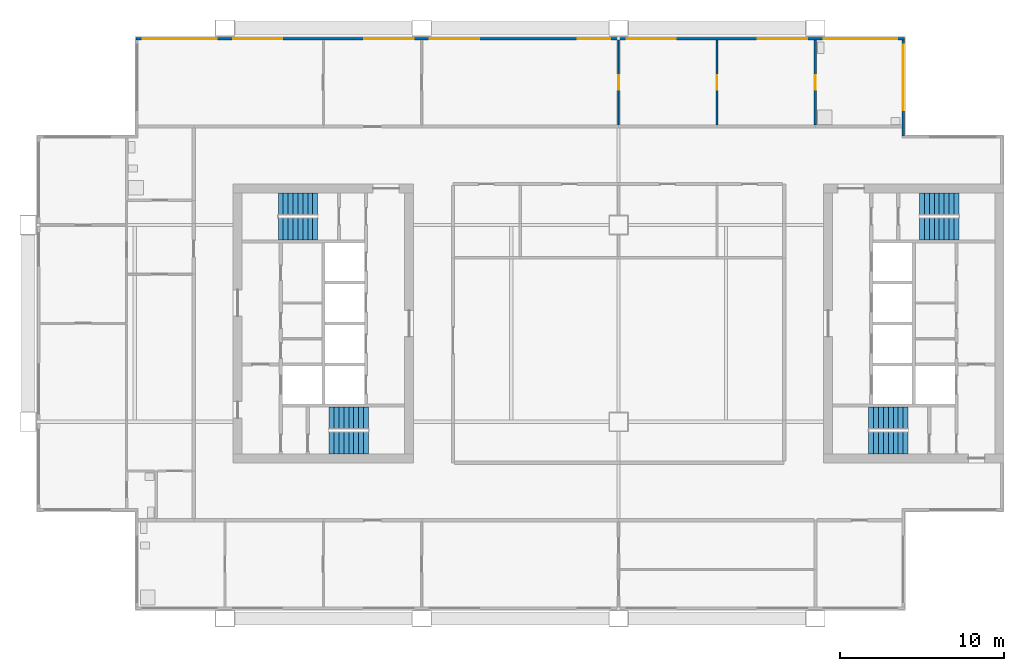
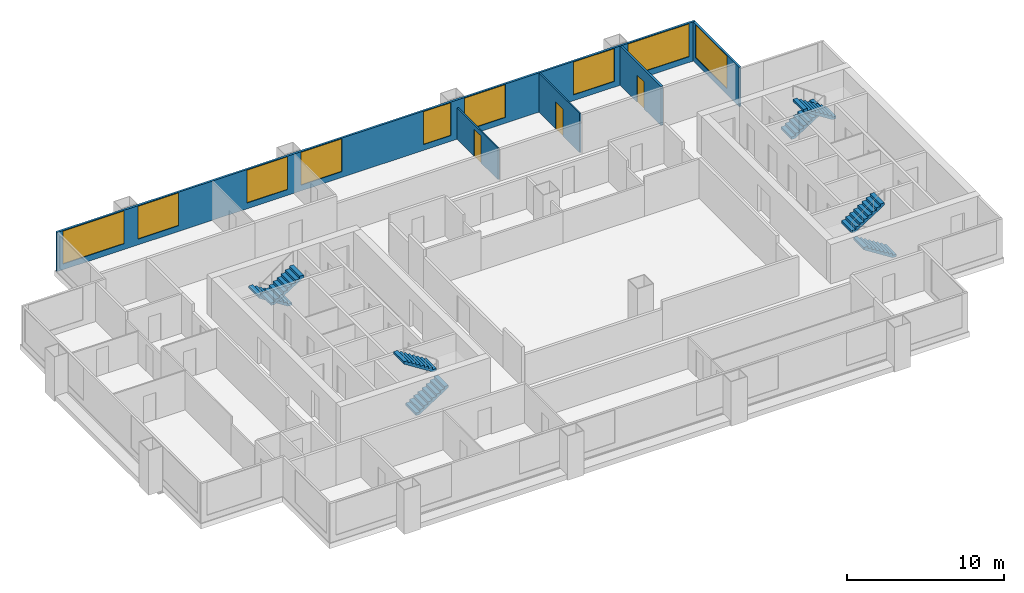
# One storey, part 6 of 8: 9 windows, 8 stair flights, 5 walls, 3 doors, 12 openings, 4 elements without a shape of their own.
"""IFC4 building model written with IfcOpenShell, lengths in metres."""

from ifc_helpers import new_model, si_unit, direction, frame, frame_2d, origin, place, context, subcontext, project, spatial, polyline, rectangle, outline, extrude, material, layer, layer_set, type_object, element, fill, aggregate, save


model = new_model("IFC4")

# Units and contexts
model_context = context("Model", 3, precision=1e-05, world=origin(), true_north=direction((0.0, 1.0)))
body_context = subcontext(model_context, "Body", "Model", "MODEL_VIEW")
ifc_project = project(units=[si_unit("LENGTHUNIT", "METRE"), si_unit("AREAUNIT", "SQUARE_METRE"), si_unit("VOLUMEUNIT", "CUBIC_METRE"), si_unit("PLANEANGLEUNIT", "RADIAN"), si_unit("MASSUNIT", "GRAM", prefix="KILO")], contexts=[model_context])

# Site, building, storey
site_placement = place(None, origin())
site = spatial("IfcSite", under=ifc_project, at=site_placement, CompositionType="ELEMENT")
building_placement = place(site_placement, origin())
building = spatial("IfcBuilding", under=site, at=building_placement, Name="Kitamizu Gate Tower and Museum", CompositionType="ELEMENT")
storey_placement = place(building_placement, frame((0.0, 0.0, 203.10009765625)))
storey = spatial("IfcBuildingStorey", under=building, at=storey_placement, Name="L54", CompositionType="ELEMENT", Elevation=203.10009765625)

# Wall, opening, door
ifc_material_1 = material(Name="Gypsum board on galvanised stud")
ifc_layer_1 = layer(ifc_material_1, 0.10009765625)
ifc_layer_set_1 = layer_set([ifc_layer_1], Name="Gypsum board on galvanised stud")
wall_type_1 = type_object("IfcWallType", Name="Partition 100 NOT RATED", PredefinedType="PARTITIONING", material=ifc_layer_set_1)
wall_1_placement = place(storey_placement, frame((36.0, 42.10009765625, 0.0), z_axis=(0.0, 0.0, 1.0), x_axis=(0.0, 1.0, 0.0)))
wall_1 = element("IfcWall", 1, at=wall_1_placement, inside=storey, type_object=wall_type_1, Name="Partition L54-022", PredefinedType="PARTITIONING", context=body_context, shape_type="SweptSolid", body=[
    extrude(rectangle(XDim=5.179931640625, YDim=0.10009765625, at=frame_2d((2.58984375, 0.0))), origin(), (0.0, 0.0, 1.0), 2.449951171875),
])
opening_1_placement = place(wall_1_placement, frame((2.139892578125, 0.0, 0.0)))
opening_1 = element("IfcOpeningElement", 2, at=opening_1_placement, cuts=wall_1, Name="Opening L54-009", PredefinedType="OPENING", context=body_context, shape_type="SweptSolid", body=[
    extrude(rectangle(XDim=0.89990234375, YDim=2.10009765625, at=frame_2d((0.449951171875, 1.050048828125))), frame((0.0, 0.06005859375, 0.0), z_axis=(0.0, -1.0, 0.0), x_axis=(1.0, 0.0, 0.0)), (0.0, 0.0, 1.0), 0.1201171875),
])
ifc_material_2 = material(Name="Timber door set", Category="wood")
door_type_1 = type_object("IfcDoorType", Name="Room door 900", OperationType="NOTDEFINED", PredefinedType="DOOR", material=ifc_material_2)
door_1_placement = place(opening_1_placement, frame((0.89990234375, 0.0, 0.0), x_axis=(-1.0, 0.0, 0.0)))
door_1 = element("IfcDoor", 3, at=door_1_placement, inside=storey, type_object=door_type_1, Name="Door L54-009", OperationType="SINGLE_SWING_LEFT", OverallHeight=2.10009765625, OverallWidth=0.89990234375, PredefinedType="DOOR", context=body_context, shape_type="SweptSolid", body=[
    extrude(rectangle(XDim=0.89990234375, YDim=2.10009765625, at=frame_2d((0.449951171875, 1.050048828125))), frame((0.0, 0.02490234375, 0.0), z_axis=(0.0, -1.0, 0.0), x_axis=(1.0, 0.0, 0.0)), (0.0, 0.0, 1.0), 0.050048828125),
])
fill(opening_1, door_1)

wall_2_placement = place(storey_placement, frame((42.0, 42.10009765625, 0.0), z_axis=(0.0, 0.0, 1.0), x_axis=(0.0, 1.0, 0.0)))
wall_2 = element("IfcWall", 4, at=wall_2_placement, inside=storey, type_object=wall_type_1, Name="Partition L54-024", PredefinedType="PARTITIONING", context=body_context, shape_type="SweptSolid", body=[
    extrude(rectangle(XDim=5.179931640625, YDim=0.10009765625, at=frame_2d((2.58984375, 0.0))), origin(), (0.0, 0.0, 1.0), 3.0498046875),
])
opening_2_placement = place(wall_2_placement, frame((2.139892578125, 0.0, 0.0)))
opening_2 = element("IfcOpeningElement", 5, at=opening_2_placement, cuts=wall_2, Name="Opening L54-011", PredefinedType="OPENING", context=body_context, shape_type="SweptSolid", body=[
    extrude(rectangle(XDim=0.89990234375, YDim=2.10009765625, at=frame_2d((0.449951171875, 1.050048828125))), frame((0.0, 0.06005859375, 0.0), z_axis=(0.0, -1.0, 0.0), x_axis=(1.0, 0.0, 0.0)), (0.0, 0.0, 1.0), 0.1201171875),
])
door_2_placement = place(opening_2_placement, origin())
door_2 = element("IfcDoor", 6, at=door_2_placement, inside=storey, type_object=door_type_1, Name="Door L54-011", OperationType="SINGLE_SWING_RIGHT", OverallHeight=2.10009765625, OverallWidth=0.89990234375, PredefinedType="DOOR", context=body_context, shape_type="SweptSolid", body=[
    extrude(rectangle(XDim=0.89990234375, YDim=2.10009765625, at=frame_2d((0.449951171875, 1.050048828125))), frame((0.0, 0.02490234375, 0.0), z_axis=(0.0, -1.0, 0.0), x_axis=(1.0, 0.0, 0.0)), (0.0, 0.0, 1.0), 0.050048828125),
])
fill(opening_2, door_2)

ifc_material_3 = material(Name="Gypsum board on galvanised stud")
ifc_layer_2 = layer(ifc_material_3, 0.14990234375)
ifc_layer_set_2 = layer_set([ifc_layer_2], Name="Gypsum board on galvanised stud")
wall_type_2 = type_object("IfcWallType", Name="Partition 150", PredefinedType="PARTITIONING", material=ifc_layer_set_2)
wall_3_placement = place(storey_placement, frame((48.0, 42.10009765625, 0.0), z_axis=(0.0, 0.0, 1.0), x_axis=(0.0, 1.0, 0.0)))
wall_3 = element("IfcWall", 7, at=wall_3_placement, inside=storey, type_object=wall_type_2, Name="Partition L54-026", PredefinedType="PARTITIONING", context=body_context, shape_type="SweptSolid", body=[
    extrude(rectangle(XDim=5.179931640625, YDim=0.14990234375, at=frame_2d((2.58984375, 0.0))), origin(), (0.0, 0.0, 1.0), 3.0498046875),
])
opening_3_placement = place(wall_3_placement, frame((2.139892578125, 0.0, 0.0)))
opening_3 = element("IfcOpeningElement", 8, at=opening_3_placement, cuts=wall_3, Name="Opening L54-012", PredefinedType="OPENING", context=body_context, shape_type="SweptSolid", body=[
    extrude(rectangle(XDim=0.89990234375, YDim=2.10009765625, at=frame_2d((0.449951171875, 1.050048828125))), frame((0.0, 0.0849609375, 0.0), z_axis=(0.0, -1.0, 0.0), x_axis=(1.0, 0.0, 0.0)), (0.0, 0.0, 1.0), 0.169921875),
])
ifc_material_4 = material(Name="Timber door set", Category="wood")
door_type_2 = type_object("IfcDoorType", Name="Bathroom door 900", OperationType="NOTDEFINED", PredefinedType="DOOR", material=ifc_material_4)
door_3_placement = place(opening_3_placement, frame((0.89990234375, 0.0, 0.0), x_axis=(-1.0, 0.0, 0.0)))
door_3 = element("IfcDoor", 9, at=door_3_placement, inside=storey, type_object=door_type_2, Name="Bathroom door L54-012", OperationType="SINGLE_SWING_RIGHT", OverallHeight=2.10009765625, OverallWidth=0.89990234375, PredefinedType="DOOR", context=body_context, shape_type="SweptSolid", body=[
    extrude(rectangle(XDim=0.89990234375, YDim=2.10009765625, at=frame_2d((0.449951171875, 1.050048828125))), frame((0.0, 0.02490234375, 0.0), z_axis=(0.0, -1.0, 0.0), x_axis=(1.0, 0.0, 0.0)), (0.0, 0.0, 1.0), 0.050048828125),
])
fill(opening_3, door_3)

# Wall, opening, window
ifc_material_5 = material(Name="Bronze anodised aluminium frame with insulated spandrel and tinted glass", Category="aluminium")
ifc_layer_3 = layer(ifc_material_5, 0.14990234375)
ifc_layer_set_3 = layer_set([ifc_layer_3], Name="Bronze anodised aluminium frame with insulated spandrel and tinted glass")
wall_type_3 = type_object("IfcWallType", Name="WINDOW WALL 150 BRONZE FRAME EI 30", PredefinedType="ELEMENTEDWALL", material=ifc_layer_set_3)
wall_4_placement = place(storey_placement, frame((53.364990234375, 41.43994140625, 0.0), z_axis=(0.0, 0.0, 1.0), x_axis=(0.0, 1.0, 0.0)))
wall_4 = element("IfcWall", 10, at=wall_4_placement, inside=storey, type_object=wall_type_3, Name="Window wall east L54", PredefinedType="ELEMENTEDWALL", context=body_context, shape_type="SweptSolid", body=[
    extrude(rectangle(XDim=5.85009765625, YDim=0.14990234375, at=frame_2d((2.925048828125, 0.0))), origin(), (0.0, 0.0, 1.0), 3.0498046875),
])
opening_4_placement = place(wall_4_placement, frame((1.56005859375, 0.0, 0.449951171875)))
opening_4 = element("IfcOpeningElement", 11, at=opening_4_placement, cuts=wall_4, Name="Opening W16", PredefinedType="OPENING", context=body_context, shape_type="SweptSolid", body=[
    extrude(rectangle(XDim=4.0, YDim=2.550048828125, at=frame_2d((2.0, 1.27490234375))), frame((0.0, 0.0849609375, 0.0), z_axis=(0.0, -1.0, 0.0), x_axis=(1.0, 0.0, 0.0)), (0.0, 0.0, 1.0), 0.169921875),
])
ifc_material_6 = material(Name="Bronze anodised aluminium frame, tinted triple glazing", Category="aluminium")
window_type_1 = type_object("IfcWindowType", Name="WINDOW 4000 x 2550 SILL 450", PartitioningType="SINGLE_PANEL", PredefinedType="WINDOW", material=ifc_material_6)
window_1_placement = place(opening_4_placement, origin())
window_1 = element("IfcWindow", 12, at=window_1_placement, inside=storey, type_object=window_type_1, Name="Window W16 L54", OverallHeight=2.550048828125, OverallWidth=4.0, PartitioningType="SINGLE_PANEL", PredefinedType="WINDOW", context=body_context, shape_type="SweptSolid", body=[
    extrude(rectangle(XDim=4.0, YDim=2.550048828125, at=frame_2d((2.0, 1.27490234375))), frame((0.0, 0.030029296875, 0.0), z_axis=(0.0, -1.0, 0.0), x_axis=(1.0, 0.0, 0.0)), (0.0, 0.0, 1.0), 0.06005859375),
])
fill(opening_4, window_1)

# Wall, openings, windows
wall_5_placement = place(storey_placement, frame((6.56005859375, 47.364990234375, 0.0), z_axis=(0.0, 0.0, 1.0), x_axis=(1.0, 0.0, 0.0)))
wall_5 = element("IfcWall", 13, at=wall_5_placement, inside=storey, type_object=wall_type_3, Name="Window wall north L54", PredefinedType="ELEMENTEDWALL", context=body_context, shape_type="SweptSolid", body=[
    extrude(rectangle(XDim=46.8798828125, YDim=0.14990234375, at=frame_2d((23.43994140625, 0.0))), origin(), (0.0, 0.0, 1.0), 3.0498046875),
])
opening_5_placement = place(wall_5_placement, frame((0.43994140625, 0.0, 0.449951171875)))
opening_5 = element("IfcOpeningElement", 14, at=opening_5_placement, cuts=wall_5, Name="Opening W15", PredefinedType="OPENING", context=body_context, shape_type="SweptSolid", body=[
    extrude(rectangle(XDim=4.5, YDim=2.550048828125, at=frame_2d((2.25, 1.27490234375))), frame((0.0, 0.0849609375, 0.0), z_axis=(0.0, -1.0, 0.0), x_axis=(1.0, 0.0, 0.0)), (0.0, 0.0, 1.0), 0.169921875),
])
opening_6_placement = place(wall_5_placement, frame((5.93994140625, 0.0, 0.449951171875)))
opening_6 = element("IfcOpeningElement", 15, at=opening_6_placement, cuts=wall_5, Name="Opening W33", PredefinedType="OPENING", context=body_context, shape_type="SweptSolid", body=[
    extrude(rectangle(XDim=3.0, YDim=2.550048828125, at=frame_2d((1.5, 1.27490234375))), frame((0.0, 0.0849609375, 0.0), z_axis=(0.0, -1.0, 0.0), x_axis=(1.0, 0.0, 0.0)), (0.0, 0.0, 1.0), 0.169921875),
])
opening_7_placement = place(wall_5_placement, frame((13.93994140625, 0.0, 0.449951171875)))
opening_7 = element("IfcOpeningElement", 16, at=opening_7_placement, cuts=wall_5, Name="Opening W33", PredefinedType="OPENING", context=body_context, shape_type="SweptSolid", body=[
    extrude(rectangle(XDim=3.0, YDim=2.550048828125, at=frame_2d((1.5, 1.27490234375))), frame((0.0, 0.0849609375, 0.0), z_axis=(0.0, -1.0, 0.0), x_axis=(1.0, 0.0, 0.0)), (0.0, 0.0, 1.0), 0.169921875),
])
opening_8_placement = place(wall_5_placement, frame((17.93994140625, 0.0, 0.449951171875)))
opening_8 = element("IfcOpeningElement", 17, at=opening_8_placement, cuts=wall_5, Name="Opening W33", PredefinedType="OPENING", context=body_context, shape_type="SweptSolid", body=[
    extrude(rectangle(XDim=3.0, YDim=2.550048828125, at=frame_2d((1.5, 1.27490234375))), frame((0.0, 0.0849609375, 0.0), z_axis=(0.0, -1.0, 0.0), x_axis=(1.0, 0.0, 0.0)), (0.0, 0.0, 1.0), 0.169921875),
])
opening_9_placement = place(wall_5_placement, frame((26.93994140625, 0.0, 0.449951171875)))
opening_9 = element("IfcOpeningElement", 18, at=opening_9_placement, cuts=wall_5, Name="Opening W2", PredefinedType="OPENING", context=body_context, shape_type="SweptSolid", body=[
    extrude(rectangle(XDim=2.0, YDim=2.550048828125, at=frame_2d((1.0, 1.27490234375))), frame((0.0, 0.0849609375, 0.0), z_axis=(0.0, -1.0, 0.0), x_axis=(1.0, 0.0, 0.0)), (0.0, 0.0, 1.0), 0.169921875),
])
opening_10_placement = place(wall_5_placement, frame((29.93994140625, 0.0, 0.449951171875)))
opening_10 = element("IfcOpeningElement", 19, at=opening_10_placement, cuts=wall_5, Name="Opening W33", PredefinedType="OPENING", context=body_context, shape_type="SweptSolid", body=[
    extrude(rectangle(XDim=3.0, YDim=2.550048828125, at=frame_2d((1.5, 1.27490234375))), frame((0.0, 0.0849609375, 0.0), z_axis=(0.0, -1.0, 0.0), x_axis=(1.0, 0.0, 0.0)), (0.0, 0.0, 1.0), 0.169921875),
])
opening_11_placement = place(wall_5_placement, frame((37.93994140625, 0.0, 0.449951171875)))
opening_11 = element("IfcOpeningElement", 20, at=opening_11_placement, cuts=wall_5, Name="Opening W33", PredefinedType="OPENING", context=body_context, shape_type="SweptSolid", body=[
    extrude(rectangle(XDim=3.0, YDim=2.550048828125, at=frame_2d((1.5, 1.27490234375))), frame((0.0, 0.0849609375, 0.0), z_axis=(0.0, -1.0, 0.0), x_axis=(1.0, 0.0, 0.0)), (0.0, 0.0, 1.0), 0.169921875),
])
opening_12_placement = place(wall_5_placement, frame((41.93994140625, 0.0, 0.449951171875)))
opening_12 = element("IfcOpeningElement", 21, at=opening_12_placement, cuts=wall_5, Name="Opening W15", PredefinedType="OPENING", context=body_context, shape_type="SweptSolid", body=[
    extrude(rectangle(XDim=4.5, YDim=2.550048828125, at=frame_2d((2.25, 1.27490234375))), frame((0.0, 0.0849609375, 0.0), z_axis=(0.0, -1.0, 0.0), x_axis=(1.0, 0.0, 0.0)), (0.0, 0.0, 1.0), 0.169921875),
])
ifc_material_7 = material(Name="Bronze anodised aluminium frame, tinted triple glazing", Category="aluminium")
window_type_2 = type_object("IfcWindowType", Name="WINDOW 2000 x 2550 SILL 450", PartitioningType="SINGLE_PANEL", PredefinedType="WINDOW", material=ifc_material_7)
window_2_placement = place(opening_9_placement, origin())
window_2 = element("IfcWindow", 22, at=window_2_placement, inside=storey, type_object=window_type_2, Name="Window W2 L54", OverallHeight=2.550048828125, OverallWidth=2.0, PartitioningType="SINGLE_PANEL", PredefinedType="WINDOW", context=body_context, shape_type="SweptSolid", body=[
    extrude(rectangle(XDim=2.0, YDim=2.550048828125, at=frame_2d((1.0, 1.27490234375))), frame((0.0, 0.030029296875, 0.0), z_axis=(0.0, -1.0, 0.0), x_axis=(1.0, 0.0, 0.0)), (0.0, 0.0, 1.0), 0.06005859375),
])
fill(opening_9, window_2)
ifc_material_8 = material(Name="Bronze anodised aluminium frame, tinted triple glazing", Category="aluminium")
window_type_3 = type_object("IfcWindowType", Name="WINDOW 3000 x 2550 SILL 450", PartitioningType="SINGLE_PANEL", PredefinedType="WINDOW", material=ifc_material_8)
window_3_placement = place(opening_6_placement, origin())
window_3 = element("IfcWindow", 23, at=window_3_placement, inside=storey, type_object=window_type_3, Name="Window W33 L54", OverallHeight=2.550048828125, OverallWidth=3.0, PartitioningType="SINGLE_PANEL", PredefinedType="WINDOW", context=body_context, shape_type="SweptSolid", body=[
    extrude(rectangle(XDim=3.0, YDim=2.550048828125, at=frame_2d((1.5, 1.27490234375))), frame((0.0, 0.030029296875, 0.0), z_axis=(0.0, -1.0, 0.0), x_axis=(1.0, 0.0, 0.0)), (0.0, 0.0, 1.0), 0.06005859375),
])
fill(opening_6, window_3)
window_4_placement = place(opening_7_placement, origin())
window_4 = element("IfcWindow", 24, at=window_4_placement, inside=storey, type_object=window_type_3, Name="Window W33 L54", OverallHeight=2.550048828125, OverallWidth=3.0, PartitioningType="SINGLE_PANEL", PredefinedType="WINDOW", context=body_context, shape_type="SweptSolid", body=[
    extrude(rectangle(XDim=3.0, YDim=2.550048828125, at=frame_2d((1.5, 1.27490234375))), frame((0.0, 0.030029296875, 0.0), z_axis=(0.0, -1.0, 0.0), x_axis=(1.0, 0.0, 0.0)), (0.0, 0.0, 1.0), 0.06005859375),
])
fill(opening_7, window_4)
window_5_placement = place(opening_8_placement, origin())
window_5 = element("IfcWindow", 25, at=window_5_placement, inside=storey, type_object=window_type_3, Name="Window W33 L54", OverallHeight=2.550048828125, OverallWidth=3.0, PartitioningType="SINGLE_PANEL", PredefinedType="WINDOW", context=body_context, shape_type="SweptSolid", body=[
    extrude(rectangle(XDim=3.0, YDim=2.550048828125, at=frame_2d((1.5, 1.27490234375))), frame((0.0, 0.030029296875, 0.0), z_axis=(0.0, -1.0, 0.0), x_axis=(1.0, 0.0, 0.0)), (0.0, 0.0, 1.0), 0.06005859375),
])
fill(opening_8, window_5)
window_6_placement = place(opening_10_placement, origin())
window_6 = element("IfcWindow", 26, at=window_6_placement, inside=storey, type_object=window_type_3, Name="Window W33 L54", OverallHeight=2.550048828125, OverallWidth=3.0, PartitioningType="SINGLE_PANEL", PredefinedType="WINDOW", context=body_context, shape_type="SweptSolid", body=[
    extrude(rectangle(XDim=3.0, YDim=2.550048828125, at=frame_2d((1.5, 1.27490234375))), frame((0.0, 0.030029296875, 0.0), z_axis=(0.0, -1.0, 0.0), x_axis=(1.0, 0.0, 0.0)), (0.0, 0.0, 1.0), 0.06005859375),
])
fill(opening_10, window_6)
window_7_placement = place(opening_11_placement, origin())
window_7 = element("IfcWindow", 27, at=window_7_placement, inside=storey, type_object=window_type_3, Name="Window W33 L54", OverallHeight=2.550048828125, OverallWidth=3.0, PartitioningType="SINGLE_PANEL", PredefinedType="WINDOW", context=body_context, shape_type="SweptSolid", body=[
    extrude(rectangle(XDim=3.0, YDim=2.550048828125, at=frame_2d((1.5, 1.27490234375))), frame((0.0, 0.030029296875, 0.0), z_axis=(0.0, -1.0, 0.0), x_axis=(1.0, 0.0, 0.0)), (0.0, 0.0, 1.0), 0.06005859375),
])
fill(opening_11, window_7)
ifc_material_9 = material(Name="Bronze anodised aluminium frame, tinted triple glazing", Category="aluminium")
window_type_4 = type_object("IfcWindowType", Name="WINDOW 4500 x 2550 SILL 450", PartitioningType="SINGLE_PANEL", PredefinedType="WINDOW", material=ifc_material_9)
window_8_placement = place(opening_5_placement, origin())
window_8 = element("IfcWindow", 28, at=window_8_placement, inside=storey, type_object=window_type_4, Name="Window W15 L54", OverallHeight=2.550048828125, OverallWidth=4.5, PartitioningType="SINGLE_PANEL", PredefinedType="WINDOW", context=body_context, shape_type="SweptSolid", body=[
    extrude(rectangle(XDim=4.5, YDim=2.550048828125, at=frame_2d((2.25, 1.27490234375))), frame((0.0, 0.030029296875, 0.0), z_axis=(0.0, -1.0, 0.0), x_axis=(1.0, 0.0, 0.0)), (0.0, 0.0, 1.0), 0.06005859375),
])
fill(opening_5, window_8)
window_9_placement = place(opening_12_placement, origin())
window_9 = element("IfcWindow", 29, at=window_9_placement, inside=storey, type_object=window_type_4, Name="Window W15 L54", OverallHeight=2.550048828125, OverallWidth=4.5, PartitioningType="SINGLE_PANEL", PredefinedType="WINDOW", context=body_context, shape_type="SweptSolid", body=[
    extrude(rectangle(XDim=4.5, YDim=2.550048828125, at=frame_2d((2.25, 1.27490234375))), frame((0.0, 0.030029296875, 0.0), z_axis=(0.0, -1.0, 0.0), x_axis=(1.0, 0.0, 0.0)), (0.0, 0.0, 1.0), 0.06005859375),
])
fill(opening_12, window_9)

# Stair, stair flights
ifc_material_10 = material(Name="Concrete Fc42", Category="concrete")
stair_type = type_object("IfcStairType", Name="Exit stair 1325 wide 192 rise 300 going", PredefinedType="HALF_TURN_STAIR", material=ifc_material_10)
stair_1_placement = place(storey_placement, origin())
stair_1 = element("IfcStair", 30, at=stair_1_placement, inside=storey, type_object=stair_type, Name="Exit stair ST1", PredefinedType="HALF_TURN_STAIR")
ifc_material_11 = material(Name="Concrete Fc42", Category="concrete")
stair_flight_type = type_object("IfcStairFlightType", Name="Stair flight 1325 wide 192 rise 300 going", PredefinedType="STRAIGHT", material=ifc_material_11)
stair_flight_1_placement = place(storey_placement, frame((18.35009765625, 22.71240234375, 0.0), z_axis=(0.0, 0.0, 1.0), x_axis=(1.0, 0.0, 0.0)))
stair_flight_1 = element("IfcStairFlight", 31, at=stair_flight_1_placement, type_object=stair_flight_type, Name="ST1 flight 1", NumberOfRisers=9, NumberOfTreads=8, PredefinedType="STRAIGHT", RiserHeight=0.191666667, TreadLength=0.3, context=body_context, shape_type="SweptSolid", body=[
    extrude(outline(polyline([(0.0, 0.0), (0.0, 0.191650390625), (0.300048828125, 0.191650390625), (0.300048828125, 0.38330078125), (0.60009765625, 0.38330078125), (0.60009765625, 0.574951171875), (0.89990234375, 0.574951171875), (0.89990234375, 0.7666015625), (1.199951171875, 0.7666015625), (1.199951171875, 0.958251953125), (1.5, 0.958251953125), (1.5, 1.14990234375), (1.800048828125, 1.14990234375), (1.800048828125, 1.341552734375), (2.10009765625, 1.341552734375), (2.10009765625, 1.533447265625), (2.39990234375, 1.533447265625), (2.39990234375, 1.72509765625), (2.39990234375, 1.35546875), (0.2783203125, 0.0), (0.0, 0.0)])), frame((0.0, 0.66259765625, 0.0), z_axis=(0.0, -1.0, 0.0), x_axis=(1.0, 0.0, 0.0)), (0.0, 0.0, 1.0), 1.324951171875),
])
stair_flight_2_placement = place(storey_placement, frame((20.75, 24.237548828125, 1.724853515625), z_axis=(0.0, 0.0, 1.0), x_axis=(-1.0, 0.0, 0.0)))
stair_flight_2 = element("IfcStairFlight", 32, at=stair_flight_2_placement, type_object=stair_flight_type, Name="ST1 flight 2", NumberOfRisers=9, NumberOfTreads=8, PredefinedType="STRAIGHT", RiserHeight=0.191666667, TreadLength=0.3, context=body_context, shape_type="SweptSolid", body=[
    extrude(outline(polyline([(0.0, 0.0), (0.0, 0.191650390625), (0.300048828125, 0.191650390625), (0.300048828125, 0.38330078125), (0.60009765625, 0.38330078125), (0.60009765625, 0.574951171875), (0.89990234375, 0.574951171875), (0.89990234375, 0.7666015625), (1.199951171875, 0.7666015625), (1.199951171875, 0.958251953125), (1.5, 0.958251953125), (1.5, 1.14990234375), (1.800048828125, 1.14990234375), (1.800048828125, 1.341552734375), (2.10009765625, 1.341552734375), (2.10009765625, 1.533447265625), (2.39990234375, 1.533447265625), (2.39990234375, 1.72509765625), (2.39990234375, 1.35546875), (0.2783203125, 0.0), (0.0, 0.0)])), frame((0.0, 0.66259765625, 0.0), z_axis=(0.0, -1.0, 0.0), x_axis=(1.0, 0.0, 0.0)), (0.0, 0.0, 1.0), 1.324951171875),
])
aggregate(stair_1, [stair_flight_1, stair_flight_2])

stair_2_placement = place(storey_placement, origin())
stair_2 = element("IfcStair", 33, at=stair_2_placement, inside=storey, type_object=stair_type, Name="Exit stair ST2", PredefinedType="HALF_TURN_STAIR")
stair_flight_3_placement = place(storey_placement, frame((17.64990234375, 37.28759765625, 0.0), z_axis=(0.0, 0.0, 1.0), x_axis=(-1.0, 0.0, 0.0)))
stair_flight_3 = element("IfcStairFlight", 34, at=stair_flight_3_placement, type_object=stair_flight_type, Name="ST2 flight 1", NumberOfRisers=9, NumberOfTreads=8, PredefinedType="STRAIGHT", RiserHeight=0.191666667, TreadLength=0.3, context=body_context, shape_type="SweptSolid", body=[
    extrude(outline(polyline([(0.0, 0.0), (0.0, 0.191650390625), (0.300048828125, 0.191650390625), (0.300048828125, 0.38330078125), (0.60009765625, 0.38330078125), (0.60009765625, 0.574951171875), (0.89990234375, 0.574951171875), (0.89990234375, 0.7666015625), (1.199951171875, 0.7666015625), (1.199951171875, 0.958251953125), (1.5, 0.958251953125), (1.5, 1.14990234375), (1.800048828125, 1.14990234375), (1.800048828125, 1.341552734375), (2.10009765625, 1.341552734375), (2.10009765625, 1.533447265625), (2.39990234375, 1.533447265625), (2.39990234375, 1.72509765625), (2.39990234375, 1.35546875), (0.2783203125, 0.0), (0.0, 0.0)])), frame((0.0, 0.66259765625, 0.0), z_axis=(0.0, -1.0, 0.0), x_axis=(1.0, 0.0, 0.0)), (0.0, 0.0, 1.0), 1.324951171875),
])
stair_flight_4_placement = place(storey_placement, frame((15.25, 35.762451171875, 1.724853515625), z_axis=(0.0, 0.0, 1.0), x_axis=(1.0, 0.0, 0.0)))
stair_flight_4 = element("IfcStairFlight", 35, at=stair_flight_4_placement, type_object=stair_flight_type, Name="ST2 flight 2", NumberOfRisers=9, NumberOfTreads=8, PredefinedType="STRAIGHT", RiserHeight=0.191666667, TreadLength=0.3, context=body_context, shape_type="SweptSolid", body=[
    extrude(outline(polyline([(0.0, 0.0), (0.0, 0.191650390625), (0.300048828125, 0.191650390625), (0.300048828125, 0.38330078125), (0.60009765625, 0.38330078125), (0.60009765625, 0.574951171875), (0.89990234375, 0.574951171875), (0.89990234375, 0.7666015625), (1.199951171875, 0.7666015625), (1.199951171875, 0.958251953125), (1.5, 0.958251953125), (1.5, 1.14990234375), (1.800048828125, 1.14990234375), (1.800048828125, 1.341552734375), (2.10009765625, 1.341552734375), (2.10009765625, 1.533447265625), (2.39990234375, 1.533447265625), (2.39990234375, 1.72509765625), (2.39990234375, 1.35546875), (0.2783203125, 0.0), (0.0, 0.0)])), frame((0.0, 0.66259765625, 0.0), z_axis=(0.0, -1.0, 0.0), x_axis=(1.0, 0.0, 0.0)), (0.0, 0.0, 1.0), 1.324951171875),
])
aggregate(stair_2, [stair_flight_3, stair_flight_4])

stair_3_placement = place(storey_placement, origin())
stair_3 = element("IfcStair", 36, at=stair_3_placement, inside=storey, type_object=stair_type, Name="Exit stair ST3", PredefinedType="HALF_TURN_STAIR")
stair_flight_5_placement = place(storey_placement, frame((53.64990234375, 22.71240234375, 0.0), z_axis=(0.0, 0.0, 1.0), x_axis=(-1.0, 0.0, 0.0)))
stair_flight_5 = element("IfcStairFlight", 37, at=stair_flight_5_placement, type_object=stair_flight_type, Name="ST3 flight 1", NumberOfRisers=9, NumberOfTreads=8, PredefinedType="STRAIGHT", RiserHeight=0.191666667, TreadLength=0.3, context=body_context, shape_type="SweptSolid", body=[
    extrude(outline(polyline([(0.0, 0.0), (0.0, 0.191650390625), (0.300048828125, 0.191650390625), (0.300048828125, 0.38330078125), (0.60009765625, 0.38330078125), (0.60009765625, 0.574951171875), (0.89990234375, 0.574951171875), (0.89990234375, 0.7666015625), (1.199951171875, 0.7666015625), (1.199951171875, 0.958251953125), (1.5, 0.958251953125), (1.5, 1.14990234375), (1.800048828125, 1.14990234375), (1.800048828125, 1.341552734375), (2.10009765625, 1.341552734375), (2.10009765625, 1.533447265625), (2.39990234375, 1.533447265625), (2.39990234375, 1.72509765625), (2.39990234375, 1.35546875), (0.2783203125, 0.0), (0.0, 0.0)])), frame((0.0, 0.66259765625, 0.0), z_axis=(0.0, -1.0, 0.0), x_axis=(1.0, 0.0, 0.0)), (0.0, 0.0, 1.0), 1.324951171875),
])
stair_flight_6_placement = place(storey_placement, frame((51.25, 24.237548828125, 1.724853515625), z_axis=(0.0, 0.0, 1.0), x_axis=(1.0, 0.0, 0.0)))
stair_flight_6 = element("IfcStairFlight", 38, at=stair_flight_6_placement, type_object=stair_flight_type, Name="ST3 flight 2", NumberOfRisers=9, NumberOfTreads=8, PredefinedType="STRAIGHT", RiserHeight=0.191666667, TreadLength=0.3, context=body_context, shape_type="SweptSolid", body=[
    extrude(outline(polyline([(0.0, 0.0), (0.0, 0.191650390625), (0.300048828125, 0.191650390625), (0.300048828125, 0.38330078125), (0.60009765625, 0.38330078125), (0.60009765625, 0.574951171875), (0.89990234375, 0.574951171875), (0.89990234375, 0.7666015625), (1.199951171875, 0.7666015625), (1.199951171875, 0.958251953125), (1.5, 0.958251953125), (1.5, 1.14990234375), (1.800048828125, 1.14990234375), (1.800048828125, 1.341552734375), (2.10009765625, 1.341552734375), (2.10009765625, 1.533447265625), (2.39990234375, 1.533447265625), (2.39990234375, 1.72509765625), (2.39990234375, 1.35546875), (0.2783203125, 0.0), (0.0, 0.0)])), frame((0.0, 0.66259765625, 0.0), z_axis=(0.0, -1.0, 0.0), x_axis=(1.0, 0.0, 0.0)), (0.0, 0.0, 1.0), 1.324951171875),
])
aggregate(stair_3, [stair_flight_5, stair_flight_6])

stair_4_placement = place(storey_placement, origin())
stair_4 = element("IfcStair", 39, at=stair_4_placement, inside=storey, type_object=stair_type, Name="Exit stair ST4", PredefinedType="HALF_TURN_STAIR")
stair_flight_7_placement = place(storey_placement, frame((54.35009765625, 37.28759765625, 0.0), z_axis=(0.0, 0.0, 1.0), x_axis=(1.0, 0.0, 0.0)))
stair_flight_7 = element("IfcStairFlight", 40, at=stair_flight_7_placement, type_object=stair_flight_type, Name="ST4 flight 1", NumberOfRisers=9, NumberOfTreads=8, PredefinedType="STRAIGHT", RiserHeight=0.191666667, TreadLength=0.3, context=body_context, shape_type="SweptSolid", body=[
    extrude(outline(polyline([(0.0, 0.0), (0.0, 0.191650390625), (0.300048828125, 0.191650390625), (0.300048828125, 0.38330078125), (0.60009765625, 0.38330078125), (0.60009765625, 0.574951171875), (0.89990234375, 0.574951171875), (0.89990234375, 0.7666015625), (1.199951171875, 0.7666015625), (1.199951171875, 0.958251953125), (1.5, 0.958251953125), (1.5, 1.14990234375), (1.800048828125, 1.14990234375), (1.800048828125, 1.341552734375), (2.10009765625, 1.341552734375), (2.10009765625, 1.533447265625), (2.39990234375, 1.533447265625), (2.39990234375, 1.72509765625), (2.39990234375, 1.35546875), (0.2783203125, 0.0), (0.0, 0.0)])), frame((0.0, 0.66259765625, 0.0), z_axis=(0.0, -1.0, 0.0), x_axis=(1.0, 0.0, 0.0)), (0.0, 0.0, 1.0), 1.324951171875),
])
stair_flight_8_placement = place(storey_placement, frame((56.75, 35.762451171875, 1.724853515625), z_axis=(0.0, 0.0, 1.0), x_axis=(-1.0, 0.0, 0.0)))
stair_flight_8 = element("IfcStairFlight", 41, at=stair_flight_8_placement, type_object=stair_flight_type, Name="ST4 flight 2", NumberOfRisers=9, NumberOfTreads=8, PredefinedType="STRAIGHT", RiserHeight=0.191666667, TreadLength=0.3, context=body_context, shape_type="SweptSolid", body=[
    extrude(outline(polyline([(0.0, 0.0), (0.0, 0.191650390625), (0.300048828125, 0.191650390625), (0.300048828125, 0.38330078125), (0.60009765625, 0.38330078125), (0.60009765625, 0.574951171875), (0.89990234375, 0.574951171875), (0.89990234375, 0.7666015625), (1.199951171875, 0.7666015625), (1.199951171875, 0.958251953125), (1.5, 0.958251953125), (1.5, 1.14990234375), (1.800048828125, 1.14990234375), (1.800048828125, 1.341552734375), (2.10009765625, 1.341552734375), (2.10009765625, 1.533447265625), (2.39990234375, 1.533447265625), (2.39990234375, 1.72509765625), (2.39990234375, 1.35546875), (0.2783203125, 0.0), (0.0, 0.0)])), frame((0.0, 0.66259765625, 0.0), z_axis=(0.0, -1.0, 0.0), x_axis=(1.0, 0.0, 0.0)), (0.0, 0.0, 1.0), 1.324951171875),
])
aggregate(stair_4, [stair_flight_7, stair_flight_8])

save(model, "model.ifc")
